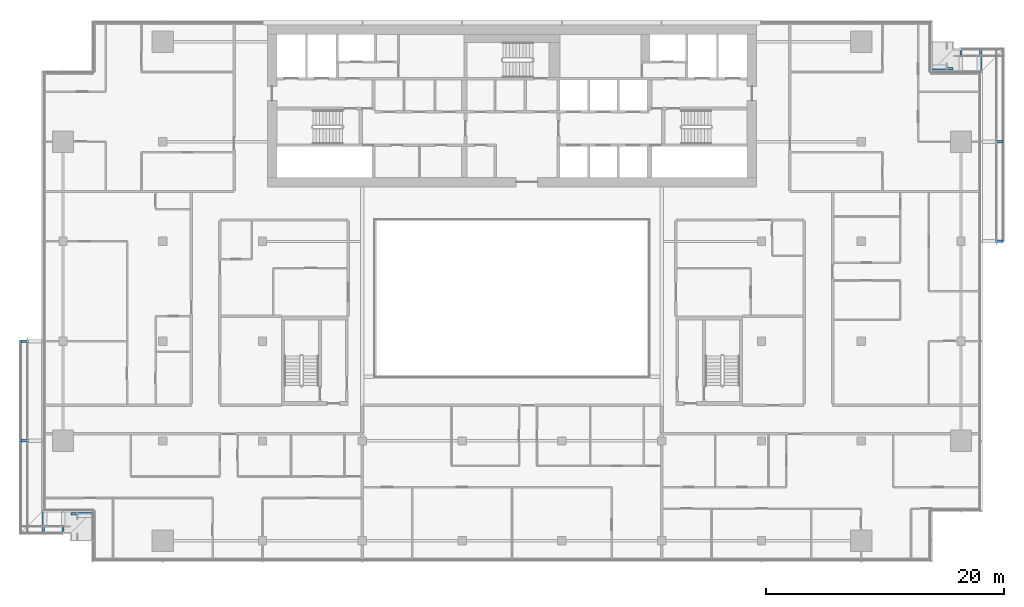
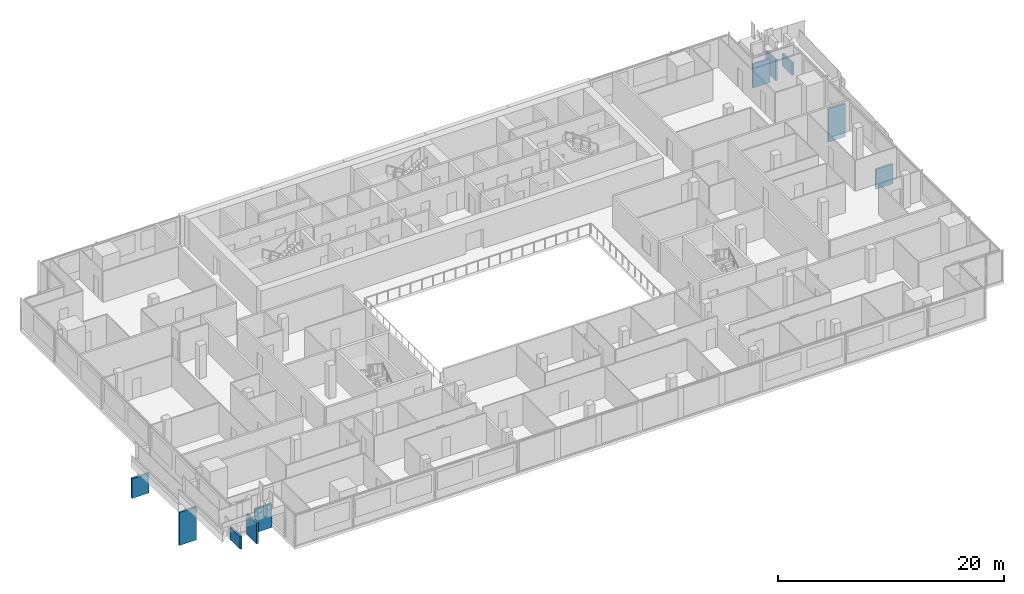
# One storey, part 24 of 29: 10 discrete accessories.
"""IFC4 building model written with IfcOpenShell, lengths in metres."""

from ifc_helpers import new_model, si_unit, direction, frame, origin, origin_2d, place, context, subcontext, project, spatial, rectangle, extrude, element, save


model = new_model("IFC4")

# Units and contexts
model_context = context("Model", 3, precision=1e-05, world=origin(), true_north=direction((0.0, 1.0)))
body_context = subcontext(model_context, "Body", "Model", "MODEL_VIEW")
ifc_project = project(units=[si_unit("LENGTHUNIT", "METRE"), si_unit("AREAUNIT", "SQUARE_METRE"), si_unit("VOLUMEUNIT", "CUBIC_METRE"), si_unit("PLANEANGLEUNIT", "RADIAN"), si_unit("MASSUNIT", "GRAM", prefix="KILO")], contexts=[model_context])

# Site, building, storey
site_placement = place(None, origin())
site = spatial("IfcSite", under=ifc_project, at=site_placement, CompositionType="ELEMENT")
building_placement = place(site_placement, origin())
building = spatial("IfcBuilding", under=site, at=building_placement, Name="Saffron Gate Tower", CompositionType="ELEMENT")
storey_placement = place(building_placement, frame((0.0, 0.0, 187.050048828125)))
storey = spatial("IfcBuildingStorey", under=building, at=storey_placement, Name="L46", CompositionType="ELEMENT", Elevation=187.050048828125)

# Discrete accessories
discrete_accessory_1_placement = place(storey_placement, frame((47.125, 48.60009765625, -3.8798828125), z_axis=(0.0, 0.0, 1.0), x_axis=(0.0, -1.0, 0.0)))
element("IfcDiscreteAccessory", 1, at=discrete_accessory_1_placement, inside=storey, Name="LEDGE rib", PredefinedType="BRACKET", context=body_context, shape_type="SweptSolid", body=[
    extrude(rectangle(XDim=0.199951171875, YDim=1.75, at=origin_2d()), origin(), (0.0, 0.0, 1.0), 2.122802734375),
])
discrete_accessory_2_placement = place(storey_placement, frame((47.125, 40.199951171875, -3.8798828125), z_axis=(0.0, 0.0, 1.0), x_axis=(0.0, -1.0, 0.0)))
element("IfcDiscreteAccessory", 2, at=discrete_accessory_2_placement, inside=storey, Name="LEDGE rib", PredefinedType="BRACKET", context=body_context, shape_type="SweptSolid", body=[
    extrude(rectangle(XDim=0.199951171875, YDim=1.75, at=origin_2d()), origin(), (0.0, 0.0, 1.0), 3.565185546875),
])
discrete_accessory_3_placement = place(storey_placement, frame((48.1201171875, 33.324951171875, -0.280029296875), z_axis=(0.0, 0.0, 1.0), x_axis=(1.0, 0.0, 0.0)))
element("IfcDiscreteAccessory", 3, at=discrete_accessory_3_placement, inside=storey, Name="LEDGE rib", PredefinedType="BRACKET", context=body_context, shape_type="SweptSolid", body=[
    extrude(rectangle(XDim=0.199951171875, YDim=1.75, at=origin_2d()), origin(), (0.0, 0.0, 1.0), 1.33837890625),
])
discrete_accessory_4_placement = place(storey_placement, frame((49.800048828125, 33.324951171875, -0.280029296875), z_axis=(0.0, 0.0, 1.0), x_axis=(1.0, 0.0, 0.0)))
element("IfcDiscreteAccessory", 4, at=discrete_accessory_4_placement, inside=storey, Name="LEDGE rib", PredefinedType="BRACKET", context=body_context, shape_type="SweptSolid", body=[
    extrude(rectangle(XDim=0.199951171875, YDim=1.75, at=origin_2d()), origin(), (0.0, 0.0, 1.0), 2.24755859375),
])
discrete_accessory_5_placement = place(storey_placement, frame((51.324951171875, 34.080078125, -0.2802734375), z_axis=(0.0, 0.0, 1.0), x_axis=(0.0, -1.0, 0.0)))
element("IfcDiscreteAccessory", 5, at=discrete_accessory_5_placement, inside=storey, Name="LEDGE rib", PredefinedType="BRACKET", context=body_context, shape_type="SweptSolid", body=[
    extrude(rectangle(XDim=0.199951171875, YDim=1.75, at=origin_2d()), origin(), (0.0, 0.0, 1.0), 2.573974609375),
])
discrete_accessory_6_placement = place(storey_placement, frame((128.074951171875, 57.0, -3.8798828125), z_axis=(0.0, 0.0, 1.0), x_axis=(0.0, 1.0, 0.0)))
element("IfcDiscreteAccessory", 6, at=discrete_accessory_6_placement, inside=storey, Name="LEDGE rib", PredefinedType="BRACKET", context=body_context, shape_type="SweptSolid", body=[
    extrude(rectangle(XDim=0.199951171875, YDim=1.75, at=origin_2d()), origin(), (0.0, 0.0, 1.0), 2.122802734375),
])
discrete_accessory_7_placement = place(storey_placement, frame((128.074951171875, 65.39990234375, -3.8798828125), z_axis=(0.0, 0.0, 1.0), x_axis=(0.0, 1.0, 0.0)))
element("IfcDiscreteAccessory", 7, at=discrete_accessory_7_placement, inside=storey, Name="LEDGE rib", PredefinedType="BRACKET", context=body_context, shape_type="SweptSolid", body=[
    extrude(rectangle(XDim=0.199951171875, YDim=1.75, at=origin_2d()), origin(), (0.0, 0.0, 1.0), 3.565185546875),
])
discrete_accessory_8_placement = place(storey_placement, frame((127.080078125, 72.27490234375, -0.280029296875), z_axis=(0.0, 0.0, 1.0), x_axis=(-1.0, 0.0, 0.0)))
element("IfcDiscreteAccessory", 8, at=discrete_accessory_8_placement, inside=storey, Name="LEDGE rib", PredefinedType="BRACKET", context=body_context, shape_type="SweptSolid", body=[
    extrude(rectangle(XDim=0.199951171875, YDim=1.75, at=origin_2d()), origin(), (0.0, 0.0, 1.0), 1.33837890625),
])
discrete_accessory_9_placement = place(storey_placement, frame((125.39990234375, 72.27490234375, -0.280029296875), z_axis=(0.0, 0.0, 1.0), x_axis=(-1.0, 0.0, 0.0)))
element("IfcDiscreteAccessory", 9, at=discrete_accessory_9_placement, inside=storey, Name="LEDGE rib", PredefinedType="BRACKET", context=body_context, shape_type="SweptSolid", body=[
    extrude(rectangle(XDim=0.199951171875, YDim=1.75, at=origin_2d()), origin(), (0.0, 0.0, 1.0), 2.24755859375),
])
discrete_accessory_10_placement = place(storey_placement, frame((123.875, 71.52001953125, -0.2802734375), z_axis=(0.0, 0.0, 1.0), x_axis=(0.0, 1.0, 0.0)))
element("IfcDiscreteAccessory", 10, at=discrete_accessory_10_placement, inside=storey, Name="LEDGE rib", PredefinedType="BRACKET", context=body_context, shape_type="SweptSolid", body=[
    extrude(rectangle(XDim=0.199951171875, YDim=1.75, at=origin_2d()), origin(), (0.0, 0.0, 1.0), 2.573974609375),
])

save(model, "model.ifc")
